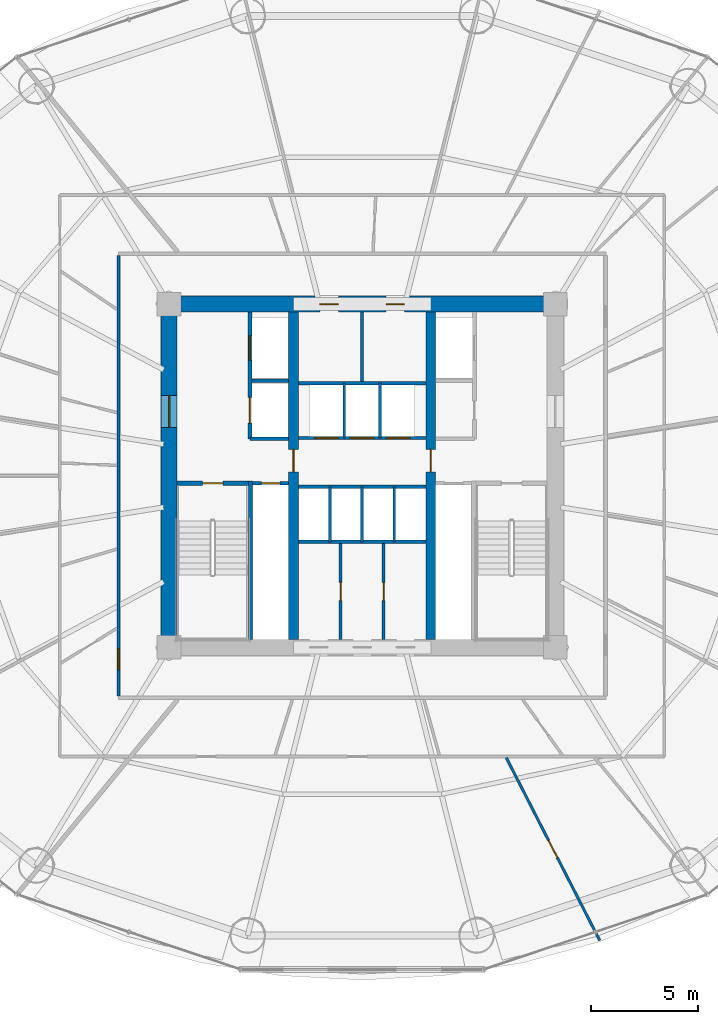
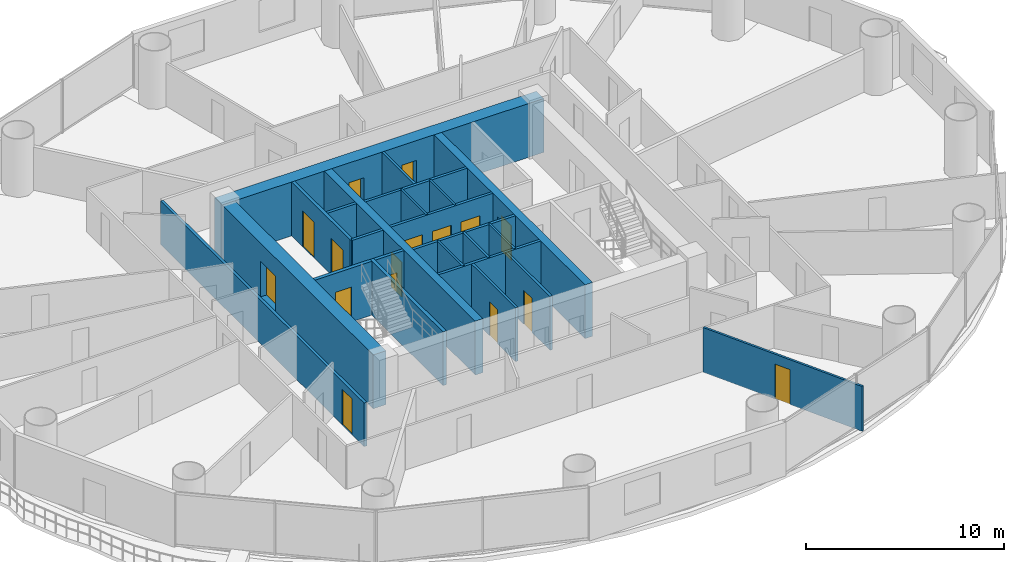
# One storey, part 22 of 28: 24 walls, 16 doors, 16 openings.
"""IFC4 building model written with IfcOpenShell, lengths in metres."""

from ifc_helpers import new_model, si_unit, direction, frame, frame_2d, origin, place, context, subcontext, project, spatial, rectangle, extrude, source, transform, mapped, material, layer, layer_set, type_object, element, fill, save


model = new_model("IFC4")

# Units and contexts
model_context = context("Model", 3, precision=1e-05, world=origin(), true_north=direction((-0.2419218956, 0.970295726276)))
body_context = subcontext(model_context, "Body", "Model", "MODEL_VIEW")
ifc_project = project(units=[si_unit("LENGTHUNIT", "METRE"), si_unit("AREAUNIT", "SQUARE_METRE"), si_unit("VOLUMEUNIT", "CUBIC_METRE"), si_unit("PLANEANGLEUNIT", "RADIAN"), si_unit("MASSUNIT", "GRAM", prefix="KILO")], contexts=[model_context])

# Site, building, storey
site_placement = place(None, origin())
site = spatial("IfcSite", under=ifc_project, at=site_placement, CompositionType="ELEMENT")
building_placement = place(site_placement, origin())
building = spatial("IfcBuilding", under=site, at=building_placement, Name="Cobrevalo Terracotta Tower", CompositionType="ELEMENT")
storey_placement = place(building_placement, frame((0.0, 0.0, 34.800048828125)))
storey = spatial("IfcBuildingStorey", under=building, at=storey_placement, Name="L08", CompositionType="ELEMENT", Elevation=34.800048828125)

# Wall, openings, doors
ifc_material_1 = material(Name="Concrete C60", Category="concrete")
ifc_layer_1 = layer(ifc_material_1, 0.75)
ifc_layer_set_1 = layer_set([ifc_layer_1], Name="Concrete C60")
wall_type_1 = type_object("IfcWallType", Name="Core shear wall 750 mm Concrete C60", PredefinedType="SHEAR", material=ifc_layer_set_1)
wall_1_placement = place(storey_placement, frame((28.625, 34.800048828125, 0.0), z_axis=(0.0, 0.0, 1.0), x_axis=(1.0, 0.0, 0.0)))
wall_1 = element("IfcWall", 1, at=wall_1_placement, inside=storey, type_object=wall_type_1, Name="L08 north core shear wall", PredefinedType="SHEAR", context=body_context, shape_type="SweptSolid", body=[
    extrude(rectangle(XDim=18.75, YDim=0.75, at=frame_2d((9.375, 0.0))), origin(), (0.0, 0.0, 1.0), 3.320068359375),
])
opening_1_placement = place(wall_1_placement, frame((7.407470703125, 0.0, 0.0)))
opening_1 = element("IfcOpeningElement", 2, at=opening_1_placement, cuts=wall_1, Name="Opening ID-07", PredefinedType="OPENING", context=body_context, shape_type="SweptSolid", body=[
    extrude(rectangle(XDim=0.860107421875, YDim=2.10009765625, at=frame_2d((0.43017578125, 1.050048828125))), frame((0.0, 0.385009765625, 0.0), z_axis=(0.0, -1.0, 0.0), x_axis=(1.0, 0.0, 0.0)), (0.0, 0.0, 1.0), 0.77001953125),
])
opening_2_placement = place(wall_1_placement, frame((10.487548828125, 0.0, 0.0)))
opening_2 = element("IfcOpeningElement", 3, at=opening_2_placement, cuts=wall_1, Name="Opening ID-22", PredefinedType="OPENING", context=body_context, shape_type="SweptSolid", body=[
    extrude(rectangle(XDim=0.85009765625, YDim=2.10009765625, at=frame_2d((0.425048828125, 1.050048828125))), frame((0.0, 0.385009765625, 0.0), z_axis=(0.0, -1.0, 0.0), x_axis=(1.0, 0.0, 0.0)), (0.0, 0.0, 1.0), 0.77001953125),
])
ifc_material_2 = material(Name="Powder-coated steel", Category="steel")
door_type_1 = type_object("IfcDoorType", Name="Riser shaft & meter closet fire access door 850x2100 EI 60", OperationType="NOTDEFINED", PredefinedType="DOOR", material=ifc_material_2)
shared_shape_1 = source(origin(), body_context, "Body", "SweptSolid", [
    extrude(rectangle(XDim=0.85009765625, YDim=2.10009765625, at=frame_2d((0.425048828125, 1.050048828125))), frame((0.0, 0.02490234375, 0.0), z_axis=(0.0, -1.0, 0.0), x_axis=(1.0, 0.0, 0.0)), (0.0, 0.0, 1.0), 0.050048828125),
])
door_1_placement = place(opening_2_placement, frame((0.85009765625, 0.0, 0.0), z_axis=(0.0, 0.0, 1.0), x_axis=(-1.0, 0.0, 0.0)))
door_1 = element("IfcDoor", 4, at=door_1_placement, inside=storey, type_object=door_type_1, Name="L08 core north service door Floor Telecom and Metering Plant", OperationType="SINGLE_SWING_RIGHT", OverallHeight=2.10009765625, OverallWidth=0.85009765625, PredefinedType="DOOR", context=body_context, shape_type="MappedRepresentation", body=[
    mapped(shared_shape_1, transform((0.0, 0.0, 0.0), scale=1.0)),
])
fill(opening_2, door_1)
ifc_material_3 = material(Name="Fire-rated moisture-sealed timber", Category="wood")
door_type_2 = type_object("IfcDoorType", Name="Core & podium fire-rated accessible WC door 860x2100 EI 60", OperationType="NOTDEFINED", PredefinedType="DOOR", material=ifc_material_3)
shared_shape_2 = source(origin(), body_context, "Body", "SweptSolid", [
    extrude(rectangle(XDim=0.860107421875, YDim=2.10009765625, at=frame_2d((0.43017578125, 1.050048828125))), frame((0.0, 0.02490234375, 0.0), z_axis=(0.0, -1.0, 0.0), x_axis=(1.0, 0.0, 0.0)), (0.0, 0.0, 1.0), 0.050048828125),
])
door_2_placement = place(opening_1_placement, frame((0.860107421875, 0.0, 0.0), z_axis=(0.0, 0.0, 1.0), x_axis=(-1.0, 0.0, 0.0)))
door_2 = element("IfcDoor", 5, at=door_2_placement, inside=storey, type_object=door_type_2, Name="L08 core north service door Core Accessible Toilet WC", OperationType="SINGLE_SWING_LEFT", OverallHeight=2.10009765625, OverallWidth=0.860107421875, PredefinedType="DOOR", context=body_context, shape_type="MappedRepresentation", body=[
    mapped(shared_shape_2, transform((0.0, 0.0, 0.0), scale=1.0)),
])
fill(opening_1, door_2)

# Wall, opening, door
wall_2_placement = place(storey_placement, frame((29.0, 19.175048828125, 0.0), z_axis=(0.0, 0.0, 1.0), x_axis=(0.0, 1.0, 0.0)))
wall_2 = element("IfcWall", 6, at=wall_2_placement, inside=storey, type_object=wall_type_1, Name="L08 west core shear wall", PredefinedType="SHEAR", context=body_context, shape_type="SweptSolid", body=[
    extrude(rectangle(XDim=15.25, YDim=0.75, at=frame_2d((7.625, 0.0))), origin(), (0.0, 0.0, 1.0), 3.320068359375),
])
opening_3_placement = place(wall_2_placement, frame((9.875, 0.0, 0.0)))
opening_3 = element("IfcOpeningElement", 7, at=opening_3_placement, cuts=wall_2, Name="Opening ID-14", PredefinedType="OPENING", context=body_context, shape_type="SweptSolid", body=[
    extrude(rectangle(XDim=1.5, YDim=2.199951171875, at=frame_2d((0.75, 1.10009765625))), frame((0.0, 0.385009765625, 0.0), z_axis=(0.0, -1.0, 0.0), x_axis=(1.0, 0.0, 0.0)), (0.0, 0.0, 1.0), 0.77001953125),
])
ifc_material_4 = material(Name="Galvanized fire-rated steel", Category="steel")
door_type_3 = type_object("IfcDoorType", Name="Core cross-lobby double fire door 1500x2200 EI 90", OperationType="NOTDEFINED", PredefinedType="DOOR", material=ifc_material_4)
shared_shape_3 = source(origin(), body_context, "Body", "SweptSolid", [
    extrude(rectangle(XDim=1.5, YDim=2.199951171875, at=frame_2d((0.75, 1.10009765625))), frame((0.0, 0.02490234375, 0.0), z_axis=(0.0, -1.0, 0.0), x_axis=(1.0, 0.0, 0.0)), (0.0, 0.0, 1.0), 0.050048828125),
])
door_3_placement = place(opening_3_placement, origin())
door_3 = element("IfcDoor", 8, at=door_3_placement, inside=storey, type_object=door_type_3, Name="L08 west firefighting lobby entrance door", OperationType="DOUBLE_DOOR_SINGLE_SWING", OverallHeight=2.199951171875, OverallWidth=1.5, PredefinedType="DOOR", context=body_context, shape_type="MappedRepresentation", body=[
    mapped(shared_shape_3, transform((0.0, 0.0, 0.0), scale=1.0)),
])
fill(opening_3, door_3)

# Walls
ifc_material_5 = material(Name="Gypsum board on steel stud", Category="steel")
ifc_layer_2 = layer(ifc_material_5, 0.159912109375)
ifc_layer_set_2 = layer_set([ifc_layer_2], Name="Gypsum board on steel stud")
wall_type_2 = type_object("IfcWallType", Name="Fire-rated corridor acoustic partition wall 160 mm", PredefinedType="PARTITIONING", material=ifc_layer_set_2)
wall_3_placement = place(storey_placement, frame((32.860107421875, 31.219970703125, 0.0), z_axis=(0.0, 0.0, 1.0), x_axis=(1.0, 0.0, 0.0)))
element("IfcWall", 9, at=wall_3_placement, inside=storey, type_object=wall_type_2, Name="L08 interior partition IW-L08-FF1-M", PredefinedType="PARTITIONING", context=body_context, shape_type="SweptSolid", body=[
    extrude(rectangle(XDim=1.71484375, YDim=0.159912109375, at=frame_2d((0.857421875, 0.0))), origin(), (0.0, 0.0, 1.0), 3.320068359375),
])
wall_4_placement = place(storey_placement, frame((32.77001953125, 28.52001953125, 0.0), z_axis=(0.0, 0.0, 1.0), x_axis=(1.0, 0.0, 0.0)))
element("IfcWall", 10, at=wall_4_placement, inside=storey, type_object=wall_type_2, Name="L08 interior partition IW-L08-FF1-S", PredefinedType="PARTITIONING", context=body_context, shape_type="SweptSolid", body=[
    extrude(rectangle(XDim=1.804931640625, YDim=0.159912109375, at=frame_2d((0.90234375, 0.0))), origin(), (0.0, 0.0, 1.0), 3.320068359375),
])

# Wall, openings, doors
wall_5_placement = place(storey_placement, frame((35.02490234375, 28.56005859375, 0.0), z_axis=(0.0, 0.0, 1.0), x_axis=(1.0, 0.0, 0.0)))
wall_5 = element("IfcWall", 11, at=wall_5_placement, inside=storey, type_object=wall_type_2, Name="L08 interior partition IW-L08-LB-S", PredefinedType="PARTITIONING", context=body_context, shape_type="SweptSolid", body=[
    extrude(rectangle(XDim=5.9501953125, YDim=0.159912109375, at=frame_2d((2.97509765625, 0.0))), origin(), (0.0, 0.0, 1.0), 3.320068359375),
])
opening_4_placement = place(wall_5_placement, frame((0.760009765625, 0.0, 0.0)))
opening_4 = element("IfcOpeningElement", 12, at=opening_4_placement, cuts=wall_5, Name="Opening LD-01", PredefinedType="OPENING", context=body_context, shape_type="SweptSolid", body=[
    extrude(rectangle(XDim=1.10009765625, YDim=2.199951171875, at=frame_2d((0.550048828125, 1.10009765625))), frame((0.0, 0.08984375, 0.0), z_axis=(0.0, -1.0, 0.0), x_axis=(1.0, 0.0, 0.0)), (0.0, 0.0, 1.0), 0.179931640625),
])
opening_5_placement = place(wall_5_placement, frame((2.425048828125, 0.0, 0.0)))
opening_5 = element("IfcOpeningElement", 13, at=opening_5_placement, cuts=wall_5, Name="Opening LD-01", PredefinedType="OPENING", context=body_context, shape_type="SweptSolid", body=[
    extrude(rectangle(XDim=1.10009765625, YDim=2.199951171875, at=frame_2d((0.550048828125, 1.10009765625))), frame((0.0, 0.08984375, 0.0), z_axis=(0.0, -1.0, 0.0), x_axis=(1.0, 0.0, 0.0)), (0.0, 0.0, 1.0), 0.179931640625),
])
opening_6_placement = place(wall_5_placement, frame((4.090087890625, 0.0, 0.0)))
opening_6 = element("IfcOpeningElement", 14, at=opening_6_placement, cuts=wall_5, Name="Opening LD-01", PredefinedType="OPENING", context=body_context, shape_type="SweptSolid", body=[
    extrude(rectangle(XDim=1.10009765625, YDim=2.199951171875, at=frame_2d((0.550048828125, 1.10009765625))), frame((0.0, 0.08984375, 0.0), z_axis=(0.0, -1.0, 0.0), x_axis=(1.0, 0.0, 0.0)), (0.0, 0.0, 1.0), 0.179931640625),
])
ifc_material_6 = material(Name="Brushed stainless steel", Category="steel")
door_type_4 = type_object("IfcDoorType", Name="Passenger lift landing bi-parting sliding door 1100x2200 EI 90", OperationType="DOUBLE_DOOR_SLIDING", PredefinedType="DOOR", material=ifc_material_6)
shared_shape_4 = source(origin(), body_context, "Body", "SweptSolid", [
    extrude(rectangle(XDim=1.10009765625, YDim=2.199951171875, at=frame_2d((0.550048828125, 1.10009765625))), frame((0.0, 0.02490234375, 0.0), z_axis=(0.0, -1.0, 0.0), x_axis=(1.0, 0.0, 0.0)), (0.0, 0.0, 1.0), 0.050048828125),
])
door_4_placement = place(opening_4_placement, origin())
door_4 = element("IfcDoor", 15, at=door_4_placement, inside=storey, type_object=door_type_4, Name="L08 lift landing door PL-L1", OperationType="DOUBLE_DOOR_SLIDING", OverallHeight=2.199951171875, OverallWidth=1.10009765625, PredefinedType="DOOR", context=body_context, shape_type="MappedRepresentation", body=[
    mapped(shared_shape_4, transform((0.0, 0.0, 0.0), scale=1.0)),
])
fill(opening_4, door_4)
door_5_placement = place(opening_5_placement, origin())
door_5 = element("IfcDoor", 16, at=door_5_placement, inside=storey, type_object=door_type_4, Name="L08 lift landing door PL-L2", OperationType="DOUBLE_DOOR_SLIDING", OverallHeight=2.199951171875, OverallWidth=1.10009765625, PredefinedType="DOOR", context=body_context, shape_type="MappedRepresentation", body=[
    mapped(shared_shape_4, transform((0.0, 0.0, 0.0), scale=1.0)),
])
fill(opening_5, door_5)
door_6_placement = place(opening_6_placement, origin())
door_6 = element("IfcDoor", 17, at=door_6_placement, inside=storey, type_object=door_type_4, Name="L08 lift landing door PL-L3", OperationType="DOUBLE_DOOR_SLIDING", OverallHeight=2.199951171875, OverallWidth=1.10009765625, PredefinedType="DOOR", context=body_context, shape_type="MappedRepresentation", body=[
    mapped(shared_shape_4, transform((0.0, 0.0, 0.0), scale=1.0)),
])
fill(opening_6, door_6)

# Walls
for number, where, z_axis, x_axis, name in (
    (18, (35.02490234375, 31.1201171875, 0.0), (0.0, 0.0, 1.0), (1.0, 0.0, 0.0), "L08 interior partition IW-L08-LB-N"),
    (19, (35.02490234375, 26.280029296875, 0.0), (0.0, 0.0, 1.0), (1.0, 0.0, 0.0), "L08 interior partition IW-L08-MB-N"),
    (20, (35.02490234375, 23.719970703125, 0.0), (0.0, 0.0, 1.0), (1.0, 0.0, 0.0), "L08 interior partition IW-L08-MB-S"),
):
    element("IfcWall", number, at=place(storey_placement, frame(where, z_axis=z_axis, x_axis=x_axis)), inside=storey, type_object=wall_type_2, Name=name, PredefinedType="PARTITIONING", context=body_context, shape_type="SweptSolid", body=[
        extrude(rectangle(XDim=5.9501953125, YDim=0.159912109375, at=frame_2d((2.97509765625, 0.0))), origin(), (0.0, 0.0, 1.0), 3.320068359375),
    ])

# Wall, opening, door
wall_6_placement = place(storey_placement, frame((26.64501953125, 16.52490234375, 0.0), z_axis=(0.0, 0.0, 1.0), x_axis=(0.0, 1.0, 0.0)))
wall_6 = element("IfcWall", 21, at=wall_6_placement, inside=storey, type_object=wall_type_2, Name="L08 interior partition IW-L08-COR-W", PredefinedType="PARTITIONING", context=body_context, shape_type="SweptSolid", body=[
    extrude(rectangle(XDim=20.550048828125, YDim=0.159912109375, at=frame_2d((10.27490234375, 0.0))), origin(), (0.0, 0.0, 1.0), 2.68798828125),
])
opening_7_placement = place(wall_6_placement, frame((1.226318359375, 0.0, 0.0)))
opening_7 = element("IfcOpeningElement", 22, at=opening_7_placement, cuts=wall_6, Name="Opening ID-05", PredefinedType="OPENING", context=body_context, shape_type="SweptSolid", body=[
    extrude(rectangle(XDim=0.97998046875, YDim=2.199951171875, at=frame_2d((0.489990234375, 1.10009765625))), frame((0.0, 0.08984375, 0.0), z_axis=(0.0, -1.0, 0.0), x_axis=(1.0, 0.0, 0.0)), (0.0, 0.0, 1.0), 0.179931640625),
])
ifc_material_7 = material(Name="Solid hardwood timber", Category="wood")
door_type_5 = type_object("IfcDoorType", Name="Residence entrance fire-rated acoustic timber door 980x2200 EI 60", OperationType="NOTDEFINED", PredefinedType="DOOR", material=ifc_material_7)
shared_shape_5 = source(origin(), body_context, "Body", "SweptSolid", [
    extrude(rectangle(XDim=0.97998046875, YDim=2.199951171875, at=frame_2d((0.489990234375, 1.10009765625))), frame((0.0, 0.02490234375, 0.0), z_axis=(0.0, -1.0, 0.0), x_axis=(1.0, 0.0, 0.0)), (0.0, 0.0, 1.0), 0.050048828125),
])
door_7_placement = place(opening_7_placement, origin())
door_7 = element("IfcDoor", 23, at=door_7_placement, inside=storey, type_object=door_type_5, Name="Flat L08B fire-rated apartment entrance door", OperationType="SINGLE_SWING_LEFT", OverallHeight=2.199951171875, OverallWidth=0.97998046875, PredefinedType="DOOR", context=body_context, shape_type="MappedRepresentation", body=[
    mapped(shared_shape_5, transform((0.0, 0.0, 0.0), scale=1.0)),
])
fill(opening_7, door_7)

ifc_layer_3 = layer(ifc_material_5, 0.179931640625)
ifc_layer_set_3 = layer_set([ifc_layer_3], Name="Gypsum board on steel stud")
wall_type_3 = type_object("IfcWallType", Name="Fire-rated shaft & lobby acoustic partition wall 180 mm", PredefinedType="PARTITIONING", material=ifc_layer_set_3)
wall_7_placement = place(storey_placement, frame((32.89990234375, 26.449951171875, 0.0), z_axis=(0.0, 0.0, 1.0), x_axis=(1.0, 0.0, 0.0)))
wall_7 = element("IfcWall", 24, at=wall_7_placement, inside=storey, type_object=wall_type_3, Name="L08 interior partition IW-L08-RSW-N", PredefinedType="PARTITIONING", context=body_context, shape_type="SweptSolid", body=[
    extrude(rectangle(XDim=1.675048828125, YDim=0.179931640625, at=frame_2d((0.83740234375, 0.0))), origin(), (0.0, 0.0, 1.0), 3.320068359375),
])
opening_8_placement = place(wall_7_placement, frame((0.41259765625, 0.0, 0.0)))
opening_8 = element("IfcOpeningElement", 25, at=opening_8_placement, cuts=wall_7, Name="Opening ID-22", PredefinedType="OPENING", context=body_context, shape_type="SweptSolid", body=[
    extrude(rectangle(XDim=0.85009765625, YDim=2.10009765625, at=frame_2d((0.425048828125, 1.050048828125))), frame((0.0, 0.10009765625, 0.0), z_axis=(0.0, -1.0, 0.0), x_axis=(1.0, 0.0, 0.0)), (0.0, 0.0, 1.0), 0.199951171875),
])
door_8_placement = place(opening_8_placement, origin())
door_8 = element("IfcDoor", 26, at=door_8_placement, inside=storey, type_object=door_type_1, Name="L08 riser access door RSW", OperationType="SINGLE_SWING_LEFT", OverallHeight=2.10009765625, OverallWidth=0.85009765625, PredefinedType="DOOR", context=body_context, shape_type="MappedRepresentation", body=[
    mapped(shared_shape_1, transform((0.0, 0.0, 0.0), scale=1.0)),
])
fill(opening_8, door_8)

# Wall, openings, doors
wall_8_placement = place(storey_placement, frame((32.77001953125, 28.52001953125, 0.0), z_axis=(0.0, 0.0, 1.0), x_axis=(0.0, 1.0, 0.0)))
wall_8 = element("IfcWall", 27, at=wall_8_placement, inside=storey, type_object=wall_type_3, Name="L08 interior partition IW-L08-FF1-W", PredefinedType="PARTITIONING", context=body_context, shape_type="SweptSolid", body=[
    extrude(rectangle(XDim=5.905029296875, YDim=0.179931640625, at=frame_2d((2.95263671875, 0.0))), origin(), (0.0, 0.0, 1.0), 3.320068359375),
])
opening_9_placement = place(wall_8_placement, frame((3.655029296875, 0.0, 0.0)))
opening_9 = element("IfcOpeningElement", 28, at=opening_9_placement, cuts=wall_8, Name="Opening LD-02", PredefinedType="OPENING", context=body_context, shape_type="SweptSolid", body=[
    extrude(rectangle(XDim=1.14990234375, YDim=2.199951171875, at=frame_2d((0.574951171875, 1.10009765625))), frame((0.0, 0.10009765625, 0.0), z_axis=(0.0, -1.0, 0.0), x_axis=(1.0, 0.0, 0.0)), (0.0, 0.0, 1.0), 0.199951171875),
])
opening_10_placement = place(wall_8_placement, frame((0.72998046875, 0.0, 0.0)))
opening_10 = element("IfcOpeningElement", 29, at=opening_10_placement, cuts=wall_8, Name="Opening LD-03", PredefinedType="OPENING", context=body_context, shape_type="SweptSolid", body=[
    extrude(rectangle(XDim=1.199951171875, YDim=2.25, at=frame_2d((0.60009765625, 1.125))), frame((0.0, 0.10009765625, 0.0), z_axis=(0.0, -1.0, 0.0), x_axis=(1.0, 0.0, 0.0)), (0.0, 0.0, 1.0), 0.199951171875),
])
door_type_6 = type_object("IfcDoorType", Name="Firefighting lift landing bi-parting sliding door 1150x2200 EI 120", OperationType="DOUBLE_DOOR_SLIDING", PredefinedType="DOOR", material=ifc_material_6)
shared_shape_6 = source(origin(), body_context, "Body", "SweptSolid", [
    extrude(rectangle(XDim=1.14990234375, YDim=2.199951171875, at=frame_2d((0.574951171875, 1.10009765625))), frame((0.0, 0.02490234375, 0.0), z_axis=(0.0, -1.0, 0.0), x_axis=(1.0, 0.0, 0.0)), (0.0, 0.0, 1.0), 0.050048828125),
])
door_9_placement = place(opening_9_placement, origin())
door_9 = element("IfcDoor", 30, at=door_9_placement, inside=storey, type_object=door_type_6, Name="L08 lift landing door FF-1", OperationType="DOUBLE_DOOR_SLIDING", OverallHeight=2.199951171875, OverallWidth=1.14990234375, PredefinedType="DOOR", context=body_context, shape_type="MappedRepresentation", body=[
    mapped(shared_shape_6, transform((0.0, 0.0, 0.0), scale=1.0)),
])
fill(opening_9, door_9)
door_type_7 = type_object("IfcDoorType", Name="Service lift landing bi-parting sliding door 1200x2250 EI 120", OperationType="DOUBLE_DOOR_SLIDING", PredefinedType="DOOR", material=ifc_material_6)
shared_shape_7 = source(origin(), body_context, "Body", "SweptSolid", [
    extrude(rectangle(XDim=1.199951171875, YDim=2.25, at=frame_2d((0.60009765625, 1.125))), frame((0.0, 0.02490234375, 0.0), z_axis=(0.0, -1.0, 0.0), x_axis=(1.0, 0.0, 0.0)), (0.0, 0.0, 1.0), 0.050048828125),
])
door_10_placement = place(opening_10_placement, origin())
door_10 = element("IfcDoor", 31, at=door_10_placement, inside=storey, type_object=door_type_7, Name="L08 lift landing door SV-1", OperationType="DOUBLE_DOOR_SLIDING", OverallHeight=2.25, OverallWidth=1.199951171875, PredefinedType="DOOR", context=body_context, shape_type="MappedRepresentation", body=[
    mapped(shared_shape_7, transform((0.0, 0.0, 0.0), scale=1.0)),
])
fill(opening_10, door_10)

# Walls
ifc_material_8 = material(Name="Autoclaved aerated concrete block", Category="concrete")
ifc_layer_4 = layer(ifc_material_8, 0.1201171875)
ifc_layer_set_4 = layer_set([ifc_layer_4], Name="Autoclaved aerated concrete block")
wall_type_4 = type_object("IfcWallType", Name="Fire-rated wet-room & core service partition 120 mm", PredefinedType="PARTITIONING", material=ifc_layer_set_4)
for number, where, z_axis, x_axis, name in (
    (32, (37.169921875, 28.56005859375, 0.0), (0.0, 0.0, 1.0), (0.0, 1.0, 0.0), "L08 interior partition IW-L08-LB-D1"),
    (33, (38.830078125, 28.56005859375, 0.0), (0.0, 0.0, 1.0), (0.0, 1.0, 0.0), "L08 interior partition IW-L08-LB-D2"),
    (34, (36.5, 23.719970703125, 0.0), (0.0, 0.0, 1.0), (0.0, 1.0, 0.0), "L08 interior partition IW-L08-MB-D1"),
    (35, (39.5, 23.719970703125, 0.0), (0.0, 0.0, 1.0), (0.0, 1.0, 0.0), "L08 interior partition IW-L08-MB-D3"),
):
    element("IfcWall", number, at=place(storey_placement, frame(where, z_axis=z_axis, x_axis=x_axis)), inside=storey, type_object=wall_type_4, Name=name, PredefinedType="PARTITIONING", context=body_context, shape_type="SweptSolid", body=[
        extrude(rectangle(XDim=2.56005859375, YDim=0.1201171875, at=frame_2d((1.280029296875, 0.0))), origin(), (0.0, 0.0, 1.0), 3.320068359375),
    ])

# Wall, opening, door
ifc_material_9 = material(Name="Concrete C55", Category="concrete")
ifc_layer_5 = layer(ifc_material_9, 0.449951171875)
ifc_layer_set_5 = layer_set([ifc_layer_5], Name="Concrete C55")
wall_type_5 = type_object("IfcWallType", Name="Internal core shear web wall 450 mm Concrete C55", PredefinedType="SHEAR", material=ifc_layer_set_5)
wall_9_placement = place(storey_placement, frame((34.800048828125, 19.175048828125, 0.0), z_axis=(0.0, 0.0, 1.0), x_axis=(0.0, 1.0, 0.0)))
wall_9 = element("IfcWall", 36, at=wall_9_placement, inside=storey, type_object=wall_type_5, Name="L08 internal core shear wall WEB-W", PredefinedType="SHEAR", context=body_context, shape_type="SweptSolid", body=[
    extrude(rectangle(XDim=15.25, YDim=0.449951171875, at=frame_2d((7.625, 0.0))), origin(), (0.0, 0.0, 1.0), 3.320068359375),
])
opening_11_placement = place(wall_9_placement, frame((7.800048828125, 0.0, 0.0)))
opening_11 = element("IfcOpeningElement", 37, at=opening_11_placement, cuts=wall_9, Name="Opening ID-11", PredefinedType="OPENING", context=body_context, shape_type="SweptSolid", body=[
    extrude(rectangle(XDim=1.050048828125, YDim=2.14990234375, at=frame_2d((0.52490234375, 1.074951171875))), frame((0.0, 0.23486328125, 0.0), z_axis=(0.0, -1.0, 0.0), x_axis=(1.0, 0.0, 0.0)), (0.0, 0.0, 1.0), 0.469970703125),
])
door_type_8 = type_object("IfcDoorType", Name="Core concourse cross fire door 1050x2150 EI 90", OperationType="NOTDEFINED", PredefinedType="DOOR", material=ifc_material_4)
shared_shape_8 = source(origin(), body_context, "Body", "SweptSolid", [
    extrude(rectangle(XDim=1.050048828125, YDim=2.14990234375, at=frame_2d((0.52490234375, 1.074951171875))), frame((0.0, 0.02490234375, 0.0), z_axis=(0.0, -1.0, 0.0), x_axis=(1.0, 0.0, 0.0)), (0.0, 0.0, 1.0), 0.050048828125),
])
door_11_placement = place(opening_11_placement, origin())
door_11 = element("IfcDoor", 38, at=door_11_placement, inside=storey, type_object=door_type_8, Name="L08 west core concourse cross door", OperationType="SINGLE_SWING_LEFT", OverallHeight=2.14990234375, OverallWidth=1.050048828125, PredefinedType="DOOR", context=body_context, shape_type="MappedRepresentation", body=[
    mapped(shared_shape_8, transform((0.0, 0.0, 0.0), scale=1.0)),
])
fill(opening_11, door_11)

wall_10_placement = place(storey_placement, frame((41.199951171875, 19.175048828125, 0.0), z_axis=(0.0, 0.0, 1.0), x_axis=(0.0, 1.0, 0.0)))
wall_10 = element("IfcWall", 39, at=wall_10_placement, inside=storey, type_object=wall_type_5, Name="L08 internal core shear wall WEB-E", PredefinedType="SHEAR", context=body_context, shape_type="SweptSolid", body=[
    extrude(rectangle(XDim=15.25, YDim=0.449951171875, at=frame_2d((7.625, 0.0))), origin(), (0.0, 0.0, 1.0), 3.320068359375),
])
opening_12_placement = place(wall_10_placement, frame((7.800048828125, 0.0, 0.0)))
opening_12 = element("IfcOpeningElement", 40, at=opening_12_placement, cuts=wall_10, Name="Opening ID-11", PredefinedType="OPENING", context=body_context, shape_type="SweptSolid", body=[
    extrude(rectangle(XDim=1.050048828125, YDim=2.14990234375, at=frame_2d((0.52490234375, 1.074951171875))), frame((0.0, 0.23486328125, 0.0), z_axis=(0.0, -1.0, 0.0), x_axis=(1.0, 0.0, 0.0)), (0.0, 0.0, 1.0), 0.469970703125),
])
door_12_placement = place(opening_12_placement, frame((1.050048828125, 0.0, 0.0), z_axis=(0.0, 0.0, 1.0), x_axis=(-1.0, 0.0, 0.0)))
door_12 = element("IfcDoor", 41, at=door_12_placement, inside=storey, type_object=door_type_8, Name="L08 east core concourse cross door", OperationType="SINGLE_SWING_RIGHT", OverallHeight=2.14990234375, OverallWidth=1.050048828125, PredefinedType="DOOR", context=body_context, shape_type="MappedRepresentation", body=[
    mapped(shared_shape_8, transform((0.0, 0.0, 0.0), scale=1.0)),
])
fill(opening_12, door_12)

# Walls
ifc_layer_6 = layer(ifc_material_8, 0.139892578125)
ifc_layer_set_6 = layer_set([ifc_layer_6], Name="Autoclaved aerated concrete block")
wall_type_6 = type_object("IfcWallType", Name="Moisture-resistant wet-room & core service partition 140 mm", PredefinedType="PARTITIONING", material=ifc_layer_set_6)
wall_11_placement = place(storey_placement, frame((38.0, 31.199951171875, 0.0), z_axis=(0.0, 0.0, 1.0), x_axis=(0.0, 1.0, 0.0)))
element("IfcWall", 42, at=wall_11_placement, inside=storey, type_object=wall_type_6, Name="L08 interior partition IW-L08-KVN-1", PredefinedType="PARTITIONING", context=body_context, shape_type="SweptSolid", body=[
    extrude(rectangle(XDim=3.22509765625, YDim=0.139892578125, at=frame_2d((1.612548828125, 0.0))), origin(), (0.0, 0.0, 1.0), 3.320068359375),
])
wall_12_placement = place(storey_placement, frame((38.0, 23.719970703125, 0.0), z_axis=(0.0, 0.0, 1.0), x_axis=(0.0, 1.0, 0.0)))
element("IfcWall", 43, at=wall_12_placement, inside=storey, type_object=wall_type_6, Name="L08 interior partition IW-L08-MB-D2", PredefinedType="PARTITIONING", context=body_context, shape_type="SweptSolid", body=[
    extrude(rectangle(XDim=2.56005859375, YDim=0.139892578125, at=frame_2d((1.280029296875, 0.0))), origin(), (0.0, 0.0, 1.0), 3.320068359375),
])

# Wall, opening, door
wall_13_placement = place(storey_placement, frame((37.0, 19.175048828125, 0.0), z_axis=(0.0, 0.0, 1.0), x_axis=(0.0, 1.0, 0.0)))
wall_13 = element("IfcWall", 44, at=wall_13_placement, inside=storey, type_object=wall_type_6, Name="L08 interior partition IW-L08-KVS-V1", PredefinedType="PARTITIONING", context=body_context, shape_type="SweptSolid", body=[
    extrude(rectangle(XDim=4.46484375, YDim=0.139892578125, at=frame_2d((2.232421875, 0.0))), origin(), (0.0, 0.0, 1.0), 3.320068359375),
])
opening_13_placement = place(wall_13_placement, frame((1.8076171875, 0.0, 0.0)))
opening_13 = element("IfcOpeningElement", 45, at=opening_13_placement, cuts=wall_13, Name="Opening ID-22", PredefinedType="OPENING", context=body_context, shape_type="SweptSolid", body=[
    extrude(rectangle(XDim=0.85009765625, YDim=2.10009765625, at=frame_2d((0.425048828125, 1.050048828125))), frame((0.0, 0.080078125, 0.0), z_axis=(0.0, -1.0, 0.0), x_axis=(1.0, 0.0, 0.0)), (0.0, 0.0, 1.0), 0.159912109375),
])
door_13_placement = place(opening_13_placement, origin())
door_13 = element("IfcDoor", 46, at=door_13_placement, inside=storey, type_object=door_type_1, Name="L08 core KVS-V1 inner door", OperationType="SINGLE_SWING_LEFT", OverallHeight=2.10009765625, OverallWidth=0.85009765625, PredefinedType="DOOR", context=body_context, shape_type="MappedRepresentation", body=[
    mapped(shared_shape_1, transform((0.0, 0.0, 0.0), scale=1.0)),
])
fill(opening_13, door_13)

wall_14_placement = place(storey_placement, frame((39.0, 19.175048828125, 0.0), z_axis=(0.0, 0.0, 1.0), x_axis=(0.0, 1.0, 0.0)))
wall_14 = element("IfcWall", 47, at=wall_14_placement, inside=storey, type_object=wall_type_6, Name="L08 interior partition IW-L08-KVS-V2", PredefinedType="PARTITIONING", context=body_context, shape_type="SweptSolid", body=[
    extrude(rectangle(XDim=4.46484375, YDim=0.139892578125, at=frame_2d((2.232421875, 0.0))), origin(), (0.0, 0.0, 1.0), 3.320068359375),
])
opening_14_placement = place(wall_14_placement, frame((1.8076171875, 0.0, 0.0)))
opening_14 = element("IfcOpeningElement", 48, at=opening_14_placement, cuts=wall_14, Name="Opening ID-22", PredefinedType="OPENING", context=body_context, shape_type="SweptSolid", body=[
    extrude(rectangle(XDim=0.85009765625, YDim=2.10009765625, at=frame_2d((0.425048828125, 1.050048828125))), frame((0.0, 0.080078125, 0.0), z_axis=(0.0, -1.0, 0.0), x_axis=(1.0, 0.0, 0.0)), (0.0, 0.0, 1.0), 0.159912109375),
])
door_14_placement = place(opening_14_placement, origin())
door_14 = element("IfcDoor", 49, at=door_14_placement, inside=storey, type_object=door_type_1, Name="L08 core KVS-V2 inner door", OperationType="SINGLE_SWING_LEFT", OverallHeight=2.10009765625, OverallWidth=0.85009765625, PredefinedType="DOOR", context=body_context, shape_type="MappedRepresentation", body=[
    mapped(shared_shape_1, transform((0.0, 0.0, 0.0), scale=1.0)),
])
fill(opening_14, door_14)

ifc_layer_7 = layer(ifc_material_5, 0.1201171875)
ifc_layer_set_7 = layer_set([ifc_layer_7], Name="Gypsum board on steel stud")
wall_type_7 = type_object("IfcWallType", Name="Residential internal acoustic stud partition 120 mm", PredefinedType="PARTITIONING", material=ifc_layer_set_7)
wall_15_placement = place(storey_placement, frame((44.716796875, 13.65966796875, 0.0), z_axis=(0.0, 0.0, 1.0), x_axis=(0.455131303234, -0.890424335256, 0.0)))
wall_15 = element("IfcWall", 50, at=wall_15_placement, inside=storey, type_object=wall_type_7, Name="L08 interior partition IW-L08-U3-ORAD1", PredefinedType="PARTITIONING", context=body_context, shape_type="SweptSolid", body=[
    extrude(rectangle(XDim=9.562255859375, YDim=0.1201171875, at=frame_2d((4.78125, 0.0))), origin(), (0.0, 0.0, 1.0), 2.761962890625),
])
opening_15_placement = place(wall_15_placement, frame((4.3310546875, 0.0, 0.0)))
opening_15 = element("IfcOpeningElement", 51, at=opening_15_placement, cuts=wall_15, Name="Opening ID-12", PredefinedType="OPENING", context=body_context, shape_type="SweptSolid", body=[
    extrude(rectangle(XDim=0.89990234375, YDim=2.14990234375, at=frame_2d((0.449951171875, 1.074951171875))), frame((0.0, 0.070068359375, 0.0), z_axis=(0.0, -1.0, 0.0), x_axis=(1.0, 0.0, 0.0)), (0.0, 0.0, 1.0), 0.14013671875),
])
ifc_material_10 = material(Name="Engineered timber", Category="wood")
door_type_9 = type_object("IfcDoorType", Name="Internal residence & suite timber door 900x2150", OperationType="NOTDEFINED", PredefinedType="DOOR", material=ifc_material_10)
shared_shape_9 = source(origin(), body_context, "Body", "SweptSolid", [
    extrude(rectangle(XDim=0.89990234375, YDim=2.14990234375, at=frame_2d((0.449951171875, 1.074951171875))), frame((0.0, 0.02490234375, 0.0), z_axis=(0.0, -1.0, 0.0), x_axis=(1.0, 0.0, 0.0)), (0.0, 0.0, 1.0), 0.050048828125),
])
door_15_placement = place(opening_15_placement, frame((0.89990234375, 0.0, 0.0), z_axis=(0.0, 0.0, 1.0), x_axis=(-1.0, 0.0, 0.0)))
door_15 = element("IfcDoor", 52, at=door_15_placement, inside=storey, type_object=door_type_9, Name="Flat L08C Penthouse Living and Dining Room internal door", OperationType="SINGLE_SWING_LEFT", OverallHeight=2.14990234375, OverallWidth=0.89990234375, PredefinedType="DOOR", context=body_context, shape_type="MappedRepresentation", body=[
    mapped(shared_shape_9, transform((0.0, 0.0, 0.0), scale=1.0)),
])
fill(opening_15, door_15)

# Wall
ifc_material_11 = material(Name="Concrete C50", Category="concrete")
ifc_layer_8 = layer(ifc_material_11, 0.199951171875)
ifc_layer_set_8 = layer_set([ifc_layer_8], Name="Concrete C50")
wall_type_8 = type_object("IfcWallType", Name="Structural core & podium stair-shaft RC wall 200 mm Concrete C50", PredefinedType="SOLIDWALL", material=ifc_layer_set_8)
wall_16_placement = place(storey_placement, frame((32.794921875, 19.175048828125, 0.0), z_axis=(0.0, 0.0, 1.0), x_axis=(0.0, 1.0, 0.0)))
element("IfcWall", 53, at=wall_16_placement, inside=storey, type_object=wall_type_8, Name="L08 ST-1 east structural shaft wall", PredefinedType="SOLIDWALL", context=body_context, shape_type="SweptSolid", body=[
    extrude(rectangle(XDim=7.375, YDim=0.199951171875, at=frame_2d((3.6875, 0.0))), origin(), (0.0, 0.0, 1.0), 3.320068359375),
])

# Wall, opening, door
wall_17_placement = place(storey_placement, frame((29.375, 26.449951171875, 0.0), z_axis=(0.0, 0.0, 1.0), x_axis=(1.0, 0.0, 0.0)))
wall_17 = element("IfcWall", 54, at=wall_17_placement, inside=storey, type_object=wall_type_8, Name="L08 ST-1 north structural shaft wall", PredefinedType="SOLIDWALL", context=body_context, shape_type="SweptSolid", body=[
    extrude(rectangle(XDim=3.320068359375, YDim=0.199951171875, at=frame_2d((1.66015625, 0.0))), origin(), (0.0, 0.0, 1.0), 3.320068359375),
])
opening_16_placement = place(wall_17_placement, frame((1.18505859375, 0.0, 0.0)))
opening_16 = element("IfcOpeningElement", 55, at=opening_16_placement, cuts=wall_17, Name="Opening ID-04", PredefinedType="OPENING", context=body_context, shape_type="SweptSolid", body=[
    extrude(rectangle(XDim=0.949951171875, YDim=2.14990234375, at=frame_2d((0.47509765625, 1.074951171875))), frame((0.0, 0.10986328125, 0.0), z_axis=(0.0, -1.0, 0.0), x_axis=(1.0, 0.0, 0.0)), (0.0, 0.0, 1.0), 0.219970703125),
])
door_type_10 = type_object("IfcDoorType", Name="Stair & firefighting lobby fire door 950x2150 EI 90", OperationType="NOTDEFINED", PredefinedType="DOOR", material=ifc_material_4)
shared_shape_10 = source(origin(), body_context, "Body", "SweptSolid", [
    extrude(rectangle(XDim=0.949951171875, YDim=2.14990234375, at=frame_2d((0.47509765625, 1.074951171875))), frame((0.0, 0.02490234375, 0.0), z_axis=(0.0, -1.0, 0.0), x_axis=(1.0, 0.0, 0.0)), (0.0, 0.0, 1.0), 0.050048828125),
])
door_16_placement = place(opening_16_placement, origin())
door_16 = element("IfcDoor", 56, at=door_16_placement, inside=storey, type_object=door_type_10, Name="L08 protected stair ST1 fire door", OperationType="SINGLE_SWING_LEFT", OverallHeight=2.14990234375, OverallWidth=0.949951171875, PredefinedType="DOOR", context=body_context, shape_type="MappedRepresentation", body=[
    mapped(shared_shape_10, transform((0.0, 0.0, 0.0), scale=1.0)),
])
fill(opening_16, door_16)

save(model, "model.ifc")
